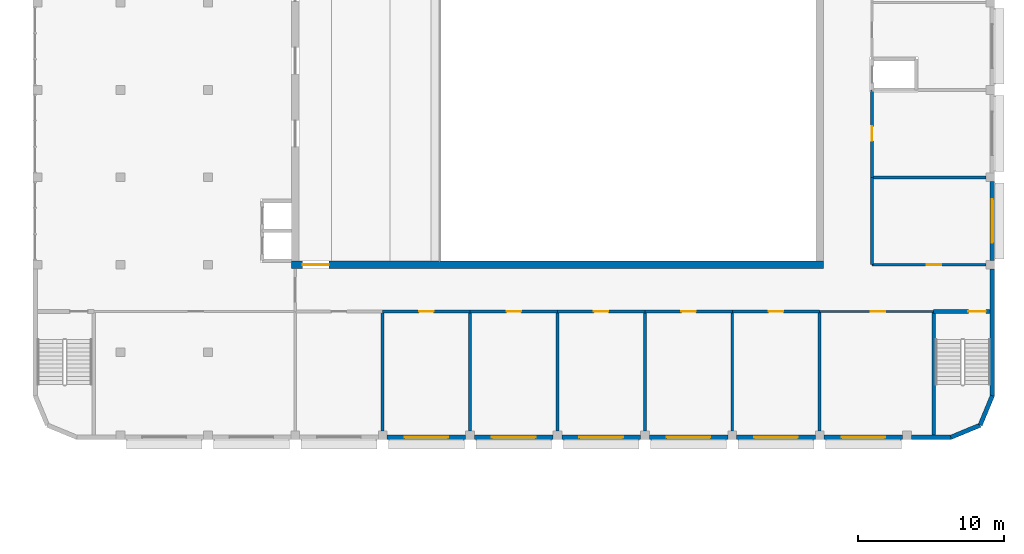
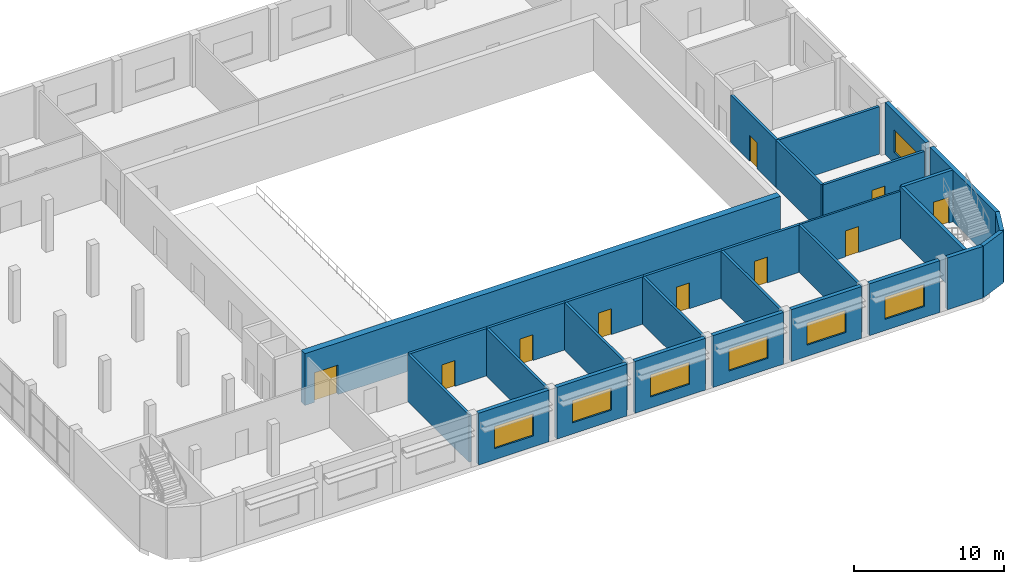
# One storey, part 23 of 45: 30 walls, 10 doors, 7 windows, 17 openings.
"""IFC4 building model written with IfcOpenShell, lengths in metres."""

from ifc_helpers import new_model, si_unit, direction, frame, frame_2d, origin, place, context, subcontext, project, spatial, rectangle, extrude, material, layer, layer_set, type_object, element, fill, save


model = new_model("IFC4")

# Units and contexts
model_context = context("Model", 3, precision=1e-05, world=origin(), true_north=direction((0.0, 1.0)))
body_context = subcontext(model_context, "Body", "Model", "MODEL_VIEW")
ifc_project = project(units=[si_unit("LENGTHUNIT", "METRE"), si_unit("AREAUNIT", "SQUARE_METRE"), si_unit("VOLUMEUNIT", "CUBIC_METRE"), si_unit("PLANEANGLEUNIT", "RADIAN"), si_unit("MASSUNIT", "GRAM", prefix="KILO")], contexts=[model_context])

# Site, building, storey
site_placement = place(None, origin())
site = spatial("IfcSite", under=ifc_project, at=site_placement, CompositionType="ELEMENT")
building_placement = place(site_placement, origin())
building = spatial("IfcBuilding", under=site, at=building_placement, Name="Nakaniwa Court", CompositionType="ELEMENT")
storey_placement = place(building_placement, frame((0.0, 0.0, 11.39990234375)))
storey = spatial("IfcBuildingStorey", under=building, at=storey_placement, Name="L02", CompositionType="ELEMENT", Elevation=11.39990234375)

# Wall
ifc_material_1 = material(Name="Double steel stud acoustic partition with mineral wool", Category="steel")
ifc_layer_1 = layer(ifc_material_1, 0.199951171875)
ifc_layer_set_1 = layer_set([ifc_layer_1], Name="Double steel stud acoustic partition with mineral wool")
wall_type_1 = type_object("IfcWallType", Name="Acoustic partition 200", PredefinedType="PARTITIONING", material=ifc_layer_set_1)
wall_1_placement = place(storey_placement, frame((176.0, 64.784912109375, 0.0), z_axis=(0.0, 0.0, 1.0), x_axis=(0.0, -1.0, 0.0)))
element("IfcWall", 1, at=wall_1_placement, inside=storey, type_object=wall_type_1, Name="L02 partition wall 26", PredefinedType="PARTITIONING", context=body_context, shape_type="SweptSolid", body=[
    extrude(rectangle(XDim=8.184814453125, YDim=0.199951171875, at=frame_2d((4.09228515625, 0.0))), origin(), (0.0, 0.0, 1.0), 3.85009765625),
])

# Wall, opening, door
wall_2_placement = place(storey_placement, frame((182.0, 64.784912109375, 0.0), z_axis=(0.0, 0.0, 1.0), x_axis=(-1.0, 0.0, 0.0)))
wall_2 = element("IfcWall", 2, at=wall_2_placement, inside=storey, type_object=wall_type_1, Name="L02 partition wall 27", PredefinedType="PARTITIONING", context=body_context, shape_type="SweptSolid", body=[
    extrude(rectangle(XDim=6.0, YDim=0.199951171875, at=frame_2d((3.0, 0.0))), origin(), (0.0, 0.0, 1.0), 3.85009765625),
])
opening_1_placement = place(wall_2_placement, frame((2.5, 0.0, 0.0)))
opening_1 = element("IfcOpeningElement", 3, at=opening_1_placement, cuts=wall_2, Name="Opening HD-90", PredefinedType="OPENING", context=body_context, shape_type="SweptSolid", body=[
    extrude(rectangle(XDim=1.0, YDim=2.10009765625, at=frame_2d((0.5, 1.050048828125))), frame((0.0, 0.10986328125, 0.0), z_axis=(0.0, -1.0, 0.0), x_axis=(1.0, 0.0, 0.0)), (0.0, 0.0, 1.0), 0.219970703125),
])
ifc_material_2 = material(Name="Solid-core timber door leaf in steel frame", Category="steel")
door_type_1 = type_object("IfcDoorType", Name="Hall door 1000x2100", OperationType="SINGLE_SWING_LEFT", PredefinedType="DOOR", material=ifc_material_2)
door_1_placement = place(opening_1_placement, origin())
door_1 = element("IfcDoor", 4, at=door_1_placement, inside=storey, type_object=door_type_1, Name="L02 door Practice-room-2", OperationType="SINGLE_SWING_RIGHT", OverallHeight=2.10009765625, OverallWidth=1.0, PredefinedType="DOOR", context=body_context, shape_type="SweptSolid", body=[
    extrude(rectangle(XDim=1.0, YDim=2.10009765625, at=frame_2d((0.5, 1.050048828125))), frame((0.0, 0.02490234375, 0.0), z_axis=(0.0, -1.0, 0.0), x_axis=(1.0, 0.0, 0.0)), (0.0, 0.0, 1.0), 0.050048828125),
])
fill(opening_1, door_1)

# Wall
wall_3_placement = place(storey_placement, frame((182.0, 64.784912109375, 0.0), z_axis=(0.0, 0.0, 1.0), x_axis=(0.0, -1.0, 0.0)))
element("IfcWall", 5, at=wall_3_placement, inside=storey, type_object=wall_type_1, Name="L02 partition wall 28", PredefinedType="PARTITIONING", context=body_context, shape_type="SweptSolid", body=[
    extrude(rectangle(XDim=8.184814453125, YDim=0.199951171875, at=frame_2d((4.09228515625, 0.0))), origin(), (0.0, 0.0, 1.0), 3.85009765625),
])

# Wall, opening, door
wall_4_placement = place(storey_placement, frame((188.0, 64.784912109375, 0.0), z_axis=(0.0, 0.0, 1.0), x_axis=(-1.0, 0.0, 0.0)))
wall_4 = element("IfcWall", 6, at=wall_4_placement, inside=storey, type_object=wall_type_1, Name="L02 partition wall 29", PredefinedType="PARTITIONING", context=body_context, shape_type="SweptSolid", body=[
    extrude(rectangle(XDim=6.0, YDim=0.199951171875, at=frame_2d((3.0, 0.0))), origin(), (0.0, 0.0, 1.0), 3.85009765625),
])
opening_2_placement = place(wall_4_placement, frame((2.5, 0.0, 0.0)))
opening_2 = element("IfcOpeningElement", 7, at=opening_2_placement, cuts=wall_4, Name="Opening HD-91", PredefinedType="OPENING", context=body_context, shape_type="SweptSolid", body=[
    extrude(rectangle(XDim=1.0, YDim=2.10009765625, at=frame_2d((0.5, 1.050048828125))), frame((0.0, 0.10986328125, 0.0), z_axis=(0.0, -1.0, 0.0), x_axis=(1.0, 0.0, 0.0)), (0.0, 0.0, 1.0), 0.219970703125),
])
door_2_placement = place(opening_2_placement, origin())
door_2 = element("IfcDoor", 8, at=door_2_placement, inside=storey, type_object=door_type_1, Name="L02 door Practice-room-3", OperationType="SINGLE_SWING_LEFT", OverallHeight=2.10009765625, OverallWidth=1.0, PredefinedType="DOOR", context=body_context, shape_type="SweptSolid", body=[
    extrude(rectangle(XDim=1.0, YDim=2.10009765625, at=frame_2d((0.5, 1.050048828125))), frame((0.0, 0.02490234375, 0.0), z_axis=(0.0, -1.0, 0.0), x_axis=(1.0, 0.0, 0.0)), (0.0, 0.0, 1.0), 0.050048828125),
])
fill(opening_2, door_2)

# Wall
wall_5_placement = place(storey_placement, frame((188.0, 64.784912109375, 0.0), z_axis=(0.0, 0.0, 1.0), x_axis=(0.0, -1.0, 0.0)))
element("IfcWall", 9, at=wall_5_placement, inside=storey, type_object=wall_type_1, Name="L02 partition wall 32", PredefinedType="PARTITIONING", context=body_context, shape_type="SweptSolid", body=[
    extrude(rectangle(XDim=8.184814453125, YDim=0.199951171875, at=frame_2d((4.09228515625, 0.0))), origin(), (0.0, 0.0, 1.0), 3.85009765625),
])

# Wall, opening, door
wall_6_placement = place(storey_placement, frame((194.0, 64.784912109375, 0.0), z_axis=(0.0, 0.0, 1.0), x_axis=(-1.0, 0.0, 0.0)))
wall_6 = element("IfcWall", 10, at=wall_6_placement, inside=storey, type_object=wall_type_1, Name="L02 partition wall 33", PredefinedType="PARTITIONING", context=body_context, shape_type="SweptSolid", body=[
    extrude(rectangle(XDim=6.0, YDim=0.199951171875, at=frame_2d((3.0, 0.0))), origin(), (0.0, 0.0, 1.0), 3.85009765625),
])
opening_3_placement = place(wall_6_placement, frame((2.5, 0.0, 0.0)))
opening_3 = element("IfcOpeningElement", 11, at=opening_3_placement, cuts=wall_6, Name="Opening HD-93", PredefinedType="OPENING", context=body_context, shape_type="SweptSolid", body=[
    extrude(rectangle(XDim=1.0, YDim=2.10009765625, at=frame_2d((0.5, 1.050048828125))), frame((0.0, 0.10986328125, 0.0), z_axis=(0.0, -1.0, 0.0), x_axis=(1.0, 0.0, 0.0)), (0.0, 0.0, 1.0), 0.219970703125),
])
door_3_placement = place(opening_3_placement, origin())
door_3 = element("IfcDoor", 12, at=door_3_placement, inside=storey, type_object=door_type_1, Name="L02 door Practice-room-4", OperationType="SINGLE_SWING_RIGHT", OverallHeight=2.10009765625, OverallWidth=1.0, PredefinedType="DOOR", context=body_context, shape_type="SweptSolid", body=[
    extrude(rectangle(XDim=1.0, YDim=2.10009765625, at=frame_2d((0.5, 1.050048828125))), frame((0.0, 0.02490234375, 0.0), z_axis=(0.0, -1.0, 0.0), x_axis=(1.0, 0.0, 0.0)), (0.0, 0.0, 1.0), 0.050048828125),
])
fill(opening_3, door_3)

# Wall
wall_7_placement = place(storey_placement, frame((194.0, 64.784912109375, 0.0), z_axis=(0.0, 0.0, 1.0), x_axis=(0.0, -1.0, 0.0)))
element("IfcWall", 13, at=wall_7_placement, inside=storey, type_object=wall_type_1, Name="L02 partition wall 34", PredefinedType="PARTITIONING", context=body_context, shape_type="SweptSolid", body=[
    extrude(rectangle(XDim=8.184814453125, YDim=0.199951171875, at=frame_2d((4.09228515625, 0.0))), origin(), (0.0, 0.0, 1.0), 3.85009765625),
])

# Wall, opening, door
wall_8_placement = place(storey_placement, frame((200.0, 64.784912109375, 0.0), z_axis=(0.0, 0.0, 1.0), x_axis=(-1.0, 0.0, 0.0)))
wall_8 = element("IfcWall", 14, at=wall_8_placement, inside=storey, type_object=wall_type_1, Name="L02 partition wall 35", PredefinedType="PARTITIONING", context=body_context, shape_type="SweptSolid", body=[
    extrude(rectangle(XDim=6.0, YDim=0.199951171875, at=frame_2d((3.0, 0.0))), origin(), (0.0, 0.0, 1.0), 3.85009765625),
])
opening_4_placement = place(wall_8_placement, frame((2.5, 0.0, 0.0)))
opening_4 = element("IfcOpeningElement", 15, at=opening_4_placement, cuts=wall_8, Name="Opening HD-94", PredefinedType="OPENING", context=body_context, shape_type="SweptSolid", body=[
    extrude(rectangle(XDim=1.0, YDim=2.10009765625, at=frame_2d((0.5, 1.050048828125))), frame((0.0, 0.10986328125, 0.0), z_axis=(0.0, -1.0, 0.0), x_axis=(1.0, 0.0, 0.0)), (0.0, 0.0, 1.0), 0.219970703125),
])
door_4_placement = place(opening_4_placement, origin())
door_4 = element("IfcDoor", 16, at=door_4_placement, inside=storey, type_object=door_type_1, Name="L02 door Practice-room-5", OperationType="SINGLE_SWING_LEFT", OverallHeight=2.10009765625, OverallWidth=1.0, PredefinedType="DOOR", context=body_context, shape_type="SweptSolid", body=[
    extrude(rectangle(XDim=1.0, YDim=2.10009765625, at=frame_2d((0.5, 1.050048828125))), frame((0.0, 0.02490234375, 0.0), z_axis=(0.0, -1.0, 0.0), x_axis=(1.0, 0.0, 0.0)), (0.0, 0.0, 1.0), 0.050048828125),
])
fill(opening_4, door_4)

# Wall
wall_9_placement = place(storey_placement, frame((200.0, 64.784912109375, 0.0), z_axis=(0.0, 0.0, 1.0), x_axis=(0.0, -1.0, 0.0)))
element("IfcWall", 17, at=wall_9_placement, inside=storey, type_object=wall_type_1, Name="L02 partition wall 38", PredefinedType="PARTITIONING", context=body_context, shape_type="SweptSolid", body=[
    extrude(rectangle(XDim=8.184814453125, YDim=0.199951171875, at=frame_2d((4.09228515625, 0.0))), origin(), (0.0, 0.0, 1.0), 3.85009765625),
])

# Wall, opening, door
wall_10_placement = place(storey_placement, frame((206.0, 64.784912109375, 0.0), z_axis=(0.0, 0.0, 1.0), x_axis=(-1.0, 0.0, 0.0)))
wall_10 = element("IfcWall", 18, at=wall_10_placement, inside=storey, type_object=wall_type_1, Name="L02 partition wall 39", PredefinedType="PARTITIONING", context=body_context, shape_type="SweptSolid", body=[
    extrude(rectangle(XDim=6.0, YDim=0.199951171875, at=frame_2d((3.0, 0.0))), origin(), (0.0, 0.0, 1.0), 3.85009765625),
])
opening_5_placement = place(wall_10_placement, frame((2.5, 0.0, 0.0)))
opening_5 = element("IfcOpeningElement", 19, at=opening_5_placement, cuts=wall_10, Name="Opening HD-96", PredefinedType="OPENING", context=body_context, shape_type="SweptSolid", body=[
    extrude(rectangle(XDim=1.0, YDim=2.10009765625, at=frame_2d((0.5, 1.050048828125))), frame((0.0, 0.10986328125, 0.0), z_axis=(0.0, -1.0, 0.0), x_axis=(1.0, 0.0, 0.0)), (0.0, 0.0, 1.0), 0.219970703125),
])
door_5_placement = place(opening_5_placement, origin())
door_5 = element("IfcDoor", 20, at=door_5_placement, inside=storey, type_object=door_type_1, Name="L02 door Practice-room-6", OperationType="SINGLE_SWING_RIGHT", OverallHeight=2.10009765625, OverallWidth=1.0, PredefinedType="DOOR", context=body_context, shape_type="SweptSolid", body=[
    extrude(rectangle(XDim=1.0, YDim=2.10009765625, at=frame_2d((0.5, 1.050048828125))), frame((0.0, 0.02490234375, 0.0), z_axis=(0.0, -1.0, 0.0), x_axis=(1.0, 0.0, 0.0)), (0.0, 0.0, 1.0), 0.050048828125),
])
fill(opening_5, door_5)

# Walls
wall_11_placement = place(storey_placement, frame((206.0, 64.784912109375, 0.0), z_axis=(0.0, 0.0, 1.0), x_axis=(0.0, -1.0, 0.0)))
element("IfcWall", 21, at=wall_11_placement, inside=storey, type_object=wall_type_1, Name="L02 partition wall 40", PredefinedType="PARTITIONING", context=body_context, shape_type="SweptSolid", body=[
    extrude(rectangle(XDim=8.184814453125, YDim=0.199951171875, at=frame_2d((4.09228515625, 0.0))), origin(), (0.0, 0.0, 1.0), 3.85009765625),
])
wall_12_placement = place(storey_placement, frame((209.60009765625, 74.0, 0.0), z_axis=(0.0, 0.0, 1.0), x_axis=(1.0, 0.0, 0.0)))
element("IfcWall", 22, at=wall_12_placement, inside=storey, type_object=wall_type_1, Name="L02 partition wall 44", PredefinedType="PARTITIONING", context=body_context, shape_type="SweptSolid", body=[
    extrude(rectangle(XDim=7.7998046875, YDim=0.199951171875, at=frame_2d((3.89990234375, 0.0))), origin(), (0.0, 0.0, 1.0), 3.85009765625),
])

# Wall, opening, door
wall_13_placement = place(storey_placement, frame((209.60009765625, 80.0, 0.0), z_axis=(0.0, 0.0, 1.0), x_axis=(0.0, -1.0, 0.0)))
wall_13 = element("IfcWall", 23, at=wall_13_placement, inside=storey, type_object=wall_type_1, Name="L02 partition wall 45", PredefinedType="PARTITIONING", context=body_context, shape_type="SweptSolid", body=[
    extrude(rectangle(XDim=6.0, YDim=0.199951171875, at=frame_2d((3.0, 0.0))), origin(), (0.0, 0.0, 1.0), 3.85009765625),
])
opening_6_placement = place(wall_13_placement, frame((2.5, 0.0, 0.0)))
opening_6 = element("IfcOpeningElement", 24, at=opening_6_placement, cuts=wall_13, Name="Opening HD-99", PredefinedType="OPENING", context=body_context, shape_type="SweptSolid", body=[
    extrude(rectangle(XDim=1.0, YDim=2.10009765625, at=frame_2d((0.5, 1.050048828125))), frame((0.0, 0.10986328125, 0.0), z_axis=(0.0, -1.0, 0.0), x_axis=(1.0, 0.0, 0.0)), (0.0, 0.0, 1.0), 0.219970703125),
])
door_6_placement = place(opening_6_placement, origin())
door_6 = element("IfcDoor", 25, at=door_6_placement, inside=storey, type_object=door_type_1, Name="L02 door Practice-room-8", OperationType="SINGLE_SWING_LEFT", OverallHeight=2.10009765625, OverallWidth=1.0, PredefinedType="DOOR", context=body_context, shape_type="SweptSolid", body=[
    extrude(rectangle(XDim=1.0, YDim=2.10009765625, at=frame_2d((0.5, 1.050048828125))), frame((0.0, 0.02490234375, 0.0), z_axis=(0.0, -1.0, 0.0), x_axis=(1.0, 0.0, 0.0)), (0.0, 0.0, 1.0), 0.050048828125),
])
fill(opening_6, door_6)

# Wall
wall_14_placement = place(storey_placement, frame((209.60009765625, 74.0, 0.0), z_axis=(0.0, 0.0, 1.0), x_axis=(0.0, -1.0, 0.0)))
element("IfcWall", 26, at=wall_14_placement, inside=storey, type_object=wall_type_1, Name="L02 partition wall 46", PredefinedType="PARTITIONING", context=body_context, shape_type="SweptSolid", body=[
    extrude(rectangle(XDim=6.0, YDim=0.199951171875, at=frame_2d((3.0, 0.0))), origin(), (0.0, 0.0, 1.0), 3.85009765625),
])

# Wall, opening, door
wall_15_placement = place(storey_placement, frame((209.60009765625, 68.0, 0.0), z_axis=(0.0, 0.0, 1.0), x_axis=(1.0, 0.0, 0.0)))
wall_15 = element("IfcWall", 27, at=wall_15_placement, inside=storey, type_object=wall_type_1, Name="L02 partition wall 47", PredefinedType="PARTITIONING", context=body_context, shape_type="SweptSolid", body=[
    extrude(rectangle(XDim=7.7998046875, YDim=0.199951171875, at=frame_2d((3.89990234375, 0.0))), origin(), (0.0, 0.0, 1.0), 3.85009765625),
])
opening_7_placement = place(wall_15_placement, frame((3.75, 0.0, 0.0)))
opening_7 = element("IfcOpeningElement", 28, at=opening_7_placement, cuts=wall_15, Name="Opening HD-100", PredefinedType="OPENING", context=body_context, shape_type="SweptSolid", body=[
    extrude(rectangle(XDim=1.0, YDim=2.10009765625, at=frame_2d((0.5, 1.050048828125))), frame((0.0, 0.10986328125, 0.0), z_axis=(0.0, -1.0, 0.0), x_axis=(1.0, 0.0, 0.0)), (0.0, 0.0, 1.0), 0.219970703125),
])
door_7_placement = place(opening_7_placement, origin())
door_7 = element("IfcDoor", 29, at=door_7_placement, inside=storey, type_object=door_type_1, Name="L02 door Practice-room-7", OperationType="SINGLE_SWING_RIGHT", OverallHeight=2.10009765625, OverallWidth=1.0, PredefinedType="DOOR", context=body_context, shape_type="SweptSolid", body=[
    extrude(rectangle(XDim=1.0, YDim=2.10009765625, at=frame_2d((0.5, 1.050048828125))), frame((0.0, 0.02490234375, 0.0), z_axis=(0.0, -1.0, 0.0), x_axis=(1.0, 0.0, 0.0)), (0.0, 0.0, 1.0), 0.050048828125),
])
fill(opening_7, door_7)

ifc_material_3 = material(Name="Concrete C50/60", Category="concrete")
ifc_layer_2 = layer(ifc_material_3, 0.5)
ifc_layer_set_2 = layer_set([ifc_layer_2], Name="Concrete C50/60")
wall_type_2 = type_object("IfcWallType", Name="Auditorium acoustic mass wall RC 500", PredefinedType="SHEAR", material=ifc_layer_set_2)
wall_16_placement = place(storey_placement, frame((206.25, 68.0, 0.0), z_axis=(0.0, 0.0, 1.0), x_axis=(-1.0, 0.0, 0.0)))
wall_16 = element("IfcWall", 30, at=wall_16_placement, inside=storey, type_object=wall_type_2, Name="Auditorium south wall L02", PredefinedType="SHEAR", context=body_context, shape_type="SweptSolid", body=[
    extrude(rectangle(XDim=36.5, YDim=0.5, at=frame_2d((18.25, 0.0))), origin(), (0.0, 0.0, 1.0), 4.2001953125),
])
opening_8_placement = place(wall_16_placement, frame((33.949951171875, 0.0, 0.0)))
opening_8 = element("IfcOpeningElement", 31, at=opening_8_placement, cuts=wall_16, Name="Opening HD-108", PredefinedType="OPENING", context=body_context, shape_type="SweptSolid", body=[
    extrude(rectangle(XDim=1.800048828125, YDim=2.39990234375, at=frame_2d((0.89990234375, 1.199951171875))), frame((0.0, 0.260009765625, 0.0), z_axis=(0.0, -1.0, 0.0), x_axis=(1.0, 0.0, 0.0)), (0.0, 0.0, 1.0), 0.52001953125),
])
ifc_material_4 = material(Name="Acoustic solid-core timber double leaf in steel frame", Category="steel")
door_type_2 = type_object("IfcDoorType", Name="Hall acoustic double door 1800x2400", OperationType="DOUBLE_DOOR_SINGLE_SWING", PredefinedType="DOOR", material=ifc_material_4)
door_8_placement = place(opening_8_placement, origin())
door_8 = element("IfcDoor", 32, at=door_8_placement, inside=storey, type_object=door_type_2, Name="L02 door side-S1", OperationType="DOUBLE_DOOR_SINGLE_SWING", OverallHeight=2.39990234375, OverallWidth=1.800048828125, PredefinedType="DOOR", context=body_context, shape_type="SweptSolid", body=[
    extrude(rectangle(XDim=1.800048828125, YDim=2.39990234375, at=frame_2d((0.89990234375, 1.199951171875))), frame((0.0, 0.02490234375, 0.0), z_axis=(0.0, -1.0, 0.0), x_axis=(1.0, 0.0, 0.0)), (0.0, 0.0, 1.0), 0.050048828125),
])
fill(opening_8, door_8)

# Wall, opening, window
ifc_layer_3 = layer(ifc_material_3, 0.300048828125)
ifc_layer_set_3 = layer_set([ifc_layer_3], Name="Concrete C50/60")
wall_type_3 = type_object("IfcWallType", Name="Fair faced concrete wall 300", PredefinedType="SOLIDWALL", material=ifc_layer_set_3)
wall_17_placement = place(storey_placement, frame((217.85009765625, 73.699951171875, 0.0), z_axis=(0.0, 0.0, 1.0), x_axis=(0.0, -1.0, 0.0)))
wall_17 = element("IfcWall", 33, at=wall_17_placement, inside=storey, type_object=wall_type_3, Name="Facade wall L02 28", PredefinedType="SOLIDWALL", context=body_context, shape_type="SweptSolid", body=[
    extrude(rectangle(XDim=5.39990234375, YDim=0.300048828125, at=frame_2d((2.699951171875, 0.0))), origin(), (0.0, 0.0, 1.0), 4.2001953125),
])
opening_9_placement = place(wall_17_placement, frame((1.199951171875, 0.0, 0.89990234375)))
opening_9 = element("IfcOpeningElement", 34, at=opening_9_placement, cuts=wall_17, Name="Opening HWN-42", PredefinedType="OPENING", context=body_context, shape_type="SweptSolid", body=[
    extrude(rectangle(XDim=3.0, YDim=1.800048828125, at=frame_2d((1.5, 0.89990234375))), frame((0.0, 0.159912109375, 0.0), z_axis=(0.0, -1.0, 0.0), x_axis=(1.0, 0.0, 0.0)), (0.0, 0.0, 1.0), 0.320068359375),
])
ifc_material_5 = material(Name="Black powder-coated aluminium frame with dark glass", Category="aluminium")
window_type = type_object("IfcWindowType", Name="Hall window 3000x1800", PartitioningType="SINGLE_PANEL", PredefinedType="WINDOW", material=ifc_material_5)
window_1_placement = place(opening_9_placement, origin())
window_1 = element("IfcWindow", 35, at=window_1_placement, inside=storey, type_object=window_type, Name="Window L02:027", OverallHeight=1.800048828125, OverallWidth=3.0, PartitioningType="SINGLE_PANEL", PredefinedType="WINDOW", context=body_context, shape_type="SweptSolid", body=[
    extrude(rectangle(XDim=3.0, YDim=1.800048828125, at=frame_2d((1.5, 0.89990234375))), frame((0.0, 0.030029296875, 0.0), z_axis=(0.0, -1.0, 0.0), x_axis=(1.0, 0.0, 0.0)), (0.0, 0.0, 1.0), 0.06005859375),
])
fill(opening_9, window_1)

# Walls
wall_18_placement = place(storey_placement, frame((217.85009765625, 67.699951171875, 0.0), z_axis=(0.0, 0.0, 1.0), x_axis=(0.0, -1.0, 0.0)))
element("IfcWall", 36, at=wall_18_placement, inside=storey, type_object=wall_type_3, Name="Facade wall L02 29", PredefinedType="SOLIDWALL", context=body_context, shape_type="SweptSolid", body=[
    extrude(rectangle(XDim=8.699951171875, YDim=0.300048828125, at=frame_2d((4.35009765625, 0.0))), origin(), (0.0, 0.0, 1.0), 4.2001953125),
])
for number, where, z_axis, x_axis, name in (
    (37, (217.85009765625, 59.0, 0.0), (0.0, 0.0, 1.0), (-0.382651625058, -0.923892706888, 0.0), "Facade wall L02 30"),
    (38, (217.015380859375, 56.984619140625, 0.0), (0.0, 0.0, 1.0), (-0.923892706888, -0.382651625058, 0.0), "Facade wall L02 31"),
):
    element("IfcWall", number, at=place(storey_placement, frame(where, z_axis=z_axis, x_axis=x_axis)), inside=storey, type_object=wall_type_3, Name=name, PredefinedType="SOLIDWALL", context=body_context, shape_type="SweptSolid", body=[
        extrude(rectangle(XDim=2.181396484375, YDim=0.300048828125, at=frame_2d((1.0908203125, 0.0))), origin(), (0.0, 0.0, 1.0), 4.2001953125),
    ])
wall_19_placement = place(storey_placement, frame((215.0, 56.14990234375, 0.0), z_axis=(0.0, 0.0, 1.0), x_axis=(-1.0, 0.0, 0.0)))
element("IfcWall", 39, at=wall_19_placement, inside=storey, type_object=wall_type_3, Name="Facade wall L02 32", PredefinedType="SOLIDWALL", context=body_context, shape_type="SweptSolid", body=[
    extrude(rectangle(XDim=2.699951171875, YDim=0.300048828125, at=frame_2d((1.35009765625, 0.0))), origin(), (0.0, 0.0, 1.0), 4.2001953125),
])

# Wall, opening, window
wall_20_placement = place(storey_placement, frame((211.699951171875, 56.14990234375, 0.0), z_axis=(0.0, 0.0, 1.0), x_axis=(-1.0, 0.0, 0.0)))
wall_20 = element("IfcWall", 40, at=wall_20_placement, inside=storey, type_object=wall_type_3, Name="Facade wall L02 33", PredefinedType="SOLIDWALL", context=body_context, shape_type="SweptSolid", body=[
    extrude(rectangle(XDim=5.39990234375, YDim=0.300048828125, at=frame_2d((2.699951171875, 0.0))), origin(), (0.0, 0.0, 1.0), 4.2001953125),
])
opening_10_placement = place(wall_20_placement, frame((1.199951171875, 0.0, 0.89990234375)))
opening_10 = element("IfcOpeningElement", 41, at=opening_10_placement, cuts=wall_20, Name="Opening HWN-43", PredefinedType="OPENING", context=body_context, shape_type="SweptSolid", body=[
    extrude(rectangle(XDim=3.0, YDim=1.800048828125, at=frame_2d((1.5, 0.89990234375))), frame((0.0, 0.159912109375, 0.0), z_axis=(0.0, -1.0, 0.0), x_axis=(1.0, 0.0, 0.0)), (0.0, 0.0, 1.0), 0.320068359375),
])
window_2_placement = place(opening_10_placement, origin())
window_2 = element("IfcWindow", 42, at=window_2_placement, inside=storey, type_object=window_type, Name="Window L02:032", OverallHeight=1.800048828125, OverallWidth=3.0, PartitioningType="SINGLE_PANEL", PredefinedType="WINDOW", context=body_context, shape_type="SweptSolid", body=[
    extrude(rectangle(XDim=3.0, YDim=1.800048828125, at=frame_2d((1.5, 0.89990234375))), frame((0.0, 0.030029296875, 0.0), z_axis=(0.0, -1.0, 0.0), x_axis=(1.0, 0.0, 0.0)), (0.0, 0.0, 1.0), 0.06005859375),
])
fill(opening_10, window_2)

wall_21_placement = place(storey_placement, frame((205.699951171875, 56.14990234375, 0.0), z_axis=(0.0, 0.0, 1.0), x_axis=(-1.0, 0.0, 0.0)))
wall_21 = element("IfcWall", 43, at=wall_21_placement, inside=storey, type_object=wall_type_3, Name="Facade wall L02 34", PredefinedType="SOLIDWALL", context=body_context, shape_type="SweptSolid", body=[
    extrude(rectangle(XDim=5.39990234375, YDim=0.300048828125, at=frame_2d((2.699951171875, 0.0))), origin(), (0.0, 0.0, 1.0), 4.2001953125),
])
opening_11_placement = place(wall_21_placement, frame((1.199951171875, 0.0, 0.89990234375)))
opening_11 = element("IfcOpeningElement", 44, at=opening_11_placement, cuts=wall_21, Name="Opening HWN-44", PredefinedType="OPENING", context=body_context, shape_type="SweptSolid", body=[
    extrude(rectangle(XDim=3.0, YDim=1.800048828125, at=frame_2d((1.5, 0.89990234375))), frame((0.0, 0.159912109375, 0.0), z_axis=(0.0, -1.0, 0.0), x_axis=(1.0, 0.0, 0.0)), (0.0, 0.0, 1.0), 0.320068359375),
])
window_3_placement = place(opening_11_placement, origin())
window_3 = element("IfcWindow", 45, at=window_3_placement, inside=storey, type_object=window_type, Name="Window L02:033", OverallHeight=1.800048828125, OverallWidth=3.0, PartitioningType="SINGLE_PANEL", PredefinedType="WINDOW", context=body_context, shape_type="SweptSolid", body=[
    extrude(rectangle(XDim=3.0, YDim=1.800048828125, at=frame_2d((1.5, 0.89990234375))), frame((0.0, 0.030029296875, 0.0), z_axis=(0.0, -1.0, 0.0), x_axis=(1.0, 0.0, 0.0)), (0.0, 0.0, 1.0), 0.06005859375),
])
fill(opening_11, window_3)

wall_22_placement = place(storey_placement, frame((199.699951171875, 56.14990234375, 0.0), z_axis=(0.0, 0.0, 1.0), x_axis=(-1.0, 0.0, 0.0)))
wall_22 = element("IfcWall", 46, at=wall_22_placement, inside=storey, type_object=wall_type_3, Name="Facade wall L02 35", PredefinedType="SOLIDWALL", context=body_context, shape_type="SweptSolid", body=[
    extrude(rectangle(XDim=5.39990234375, YDim=0.300048828125, at=frame_2d((2.699951171875, 0.0))), origin(), (0.0, 0.0, 1.0), 4.2001953125),
])
opening_12_placement = place(wall_22_placement, frame((1.199951171875, 0.0, 0.89990234375)))
opening_12 = element("IfcOpeningElement", 47, at=opening_12_placement, cuts=wall_22, Name="Opening HWN-45", PredefinedType="OPENING", context=body_context, shape_type="SweptSolid", body=[
    extrude(rectangle(XDim=3.0, YDim=1.800048828125, at=frame_2d((1.5, 0.89990234375))), frame((0.0, 0.159912109375, 0.0), z_axis=(0.0, -1.0, 0.0), x_axis=(1.0, 0.0, 0.0)), (0.0, 0.0, 1.0), 0.320068359375),
])
window_4_placement = place(opening_12_placement, origin())
window_4 = element("IfcWindow", 48, at=window_4_placement, inside=storey, type_object=window_type, Name="Window L02:034", OverallHeight=1.800048828125, OverallWidth=3.0, PartitioningType="SINGLE_PANEL", PredefinedType="WINDOW", context=body_context, shape_type="SweptSolid", body=[
    extrude(rectangle(XDim=3.0, YDim=1.800048828125, at=frame_2d((1.5, 0.89990234375))), frame((0.0, 0.030029296875, 0.0), z_axis=(0.0, -1.0, 0.0), x_axis=(1.0, 0.0, 0.0)), (0.0, 0.0, 1.0), 0.06005859375),
])
fill(opening_12, window_4)

wall_23_placement = place(storey_placement, frame((193.699951171875, 56.14990234375, 0.0), z_axis=(0.0, 0.0, 1.0), x_axis=(-1.0, 0.0, 0.0)))
wall_23 = element("IfcWall", 49, at=wall_23_placement, inside=storey, type_object=wall_type_3, Name="Facade wall L02 36", PredefinedType="SOLIDWALL", context=body_context, shape_type="SweptSolid", body=[
    extrude(rectangle(XDim=5.39990234375, YDim=0.300048828125, at=frame_2d((2.699951171875, 0.0))), origin(), (0.0, 0.0, 1.0), 4.2001953125),
])
opening_13_placement = place(wall_23_placement, frame((1.199951171875, 0.0, 0.89990234375)))
opening_13 = element("IfcOpeningElement", 50, at=opening_13_placement, cuts=wall_23, Name="Opening HWN-46", PredefinedType="OPENING", context=body_context, shape_type="SweptSolid", body=[
    extrude(rectangle(XDim=3.0, YDim=1.800048828125, at=frame_2d((1.5, 0.89990234375))), frame((0.0, 0.159912109375, 0.0), z_axis=(0.0, -1.0, 0.0), x_axis=(1.0, 0.0, 0.0)), (0.0, 0.0, 1.0), 0.320068359375),
])
window_5_placement = place(opening_13_placement, origin())
window_5 = element("IfcWindow", 51, at=window_5_placement, inside=storey, type_object=window_type, Name="Window L02:035", OverallHeight=1.800048828125, OverallWidth=3.0, PartitioningType="SINGLE_PANEL", PredefinedType="WINDOW", context=body_context, shape_type="SweptSolid", body=[
    extrude(rectangle(XDim=3.0, YDim=1.800048828125, at=frame_2d((1.5, 0.89990234375))), frame((0.0, 0.030029296875, 0.0), z_axis=(0.0, -1.0, 0.0), x_axis=(1.0, 0.0, 0.0)), (0.0, 0.0, 1.0), 0.06005859375),
])
fill(opening_13, window_5)

wall_24_placement = place(storey_placement, frame((187.699951171875, 56.14990234375, 0.0), z_axis=(0.0, 0.0, 1.0), x_axis=(-1.0, 0.0, 0.0)))
wall_24 = element("IfcWall", 52, at=wall_24_placement, inside=storey, type_object=wall_type_3, Name="Facade wall L02 37", PredefinedType="SOLIDWALL", context=body_context, shape_type="SweptSolid", body=[
    extrude(rectangle(XDim=5.39990234375, YDim=0.300048828125, at=frame_2d((2.699951171875, 0.0))), origin(), (0.0, 0.0, 1.0), 4.2001953125),
])
opening_14_placement = place(wall_24_placement, frame((1.199951171875, 0.0, 0.89990234375)))
opening_14 = element("IfcOpeningElement", 53, at=opening_14_placement, cuts=wall_24, Name="Opening HWN-47", PredefinedType="OPENING", context=body_context, shape_type="SweptSolid", body=[
    extrude(rectangle(XDim=3.0, YDim=1.800048828125, at=frame_2d((1.5, 0.89990234375))), frame((0.0, 0.159912109375, 0.0), z_axis=(0.0, -1.0, 0.0), x_axis=(1.0, 0.0, 0.0)), (0.0, 0.0, 1.0), 0.320068359375),
])
window_6_placement = place(opening_14_placement, origin())
window_6 = element("IfcWindow", 54, at=window_6_placement, inside=storey, type_object=window_type, Name="Window L02:036", OverallHeight=1.800048828125, OverallWidth=3.0, PartitioningType="SINGLE_PANEL", PredefinedType="WINDOW", context=body_context, shape_type="SweptSolid", body=[
    extrude(rectangle(XDim=3.0, YDim=1.800048828125, at=frame_2d((1.5, 0.89990234375))), frame((0.0, 0.030029296875, 0.0), z_axis=(0.0, -1.0, 0.0), x_axis=(1.0, 0.0, 0.0)), (0.0, 0.0, 1.0), 0.06005859375),
])
fill(opening_14, window_6)

wall_25_placement = place(storey_placement, frame((181.699951171875, 56.14990234375, 0.0), z_axis=(0.0, 0.0, 1.0), x_axis=(-1.0, 0.0, 0.0)))
wall_25 = element("IfcWall", 55, at=wall_25_placement, inside=storey, type_object=wall_type_3, Name="Facade wall L02 38", PredefinedType="SOLIDWALL", context=body_context, shape_type="SweptSolid", body=[
    extrude(rectangle(XDim=5.39990234375, YDim=0.300048828125, at=frame_2d((2.699951171875, 0.0))), origin(), (0.0, 0.0, 1.0), 4.2001953125),
])
opening_15_placement = place(wall_25_placement, frame((1.199951171875, 0.0, 0.89990234375)))
opening_15 = element("IfcOpeningElement", 56, at=opening_15_placement, cuts=wall_25, Name="Opening HWN-48", PredefinedType="OPENING", context=body_context, shape_type="SweptSolid", body=[
    extrude(rectangle(XDim=3.0, YDim=1.800048828125, at=frame_2d((1.5, 0.89990234375))), frame((0.0, 0.159912109375, 0.0), z_axis=(0.0, -1.0, 0.0), x_axis=(1.0, 0.0, 0.0)), (0.0, 0.0, 1.0), 0.320068359375),
])
window_7_placement = place(opening_15_placement, origin())
window_7 = element("IfcWindow", 57, at=window_7_placement, inside=storey, type_object=window_type, Name="Window L02:037", OverallHeight=1.800048828125, OverallWidth=3.0, PartitioningType="SINGLE_PANEL", PredefinedType="WINDOW", context=body_context, shape_type="SweptSolid", body=[
    extrude(rectangle(XDim=3.0, YDim=1.800048828125, at=frame_2d((1.5, 0.89990234375))), frame((0.0, 0.030029296875, 0.0), z_axis=(0.0, -1.0, 0.0), x_axis=(1.0, 0.0, 0.0)), (0.0, 0.0, 1.0), 0.06005859375),
])
fill(opening_15, window_7)

# Wall
ifc_material_6 = material(Name="Concrete C40/50", Category="concrete")
ifc_layer_4 = layer(ifc_material_6, 0.25)
ifc_layer_set_4 = layer_set([ifc_layer_4], Name="Concrete C40/50")
wall_type_4 = type_object("IfcWallType", Name="Fire isolated shaft wall RC 250", PredefinedType="SOLIDWALL", material=ifc_layer_set_4)
wall_26_placement = place(storey_placement, frame((213.824951171875, 56.300048828125, 0.0), z_axis=(0.0, 0.0, 1.0), x_axis=(0.0, 1.0, 0.0)))
element("IfcWall", 58, at=wall_26_placement, inside=storey, type_object=wall_type_4, Name="L02 shaft wall 57", PredefinedType="SOLIDWALL", context=body_context, shape_type="SweptSolid", body=[
    extrude(rectangle(XDim=8.48486328125, YDim=0.25, at=frame_2d((4.242431640625, 0.0))), origin(), (0.0, 0.0, 1.0), 4.2001953125),
])

# Wall, opening, door
wall_27_placement = place(storey_placement, frame((217.699951171875, 64.784912109375, 0.0), z_axis=(0.0, 0.0, 1.0), x_axis=(-1.0, 0.0, 0.0)))
wall_27 = element("IfcWall", 59, at=wall_27_placement, inside=storey, type_object=wall_type_4, Name="L02 shaft wall 58", PredefinedType="SOLIDWALL", context=body_context, shape_type="SweptSolid", body=[
    extrude(rectangle(XDim=3.875, YDim=0.25, at=frame_2d((1.9375, 0.0))), origin(), (0.0, 0.0, 1.0), 4.2001953125),
])
opening_16_placement = place(wall_27_placement, frame((0.300048828125, 0.0, 0.0)))
opening_16 = element("IfcOpeningElement", 60, at=opening_16_placement, cuts=wall_27, Name="Opening HD-103", PredefinedType="OPENING", context=body_context, shape_type="SweptSolid", body=[
    extrude(rectangle(XDim=1.199951171875, YDim=2.10009765625, at=frame_2d((0.60009765625, 1.050048828125))), frame((0.0, 0.135009765625, 0.0), z_axis=(0.0, -1.0, 0.0), x_axis=(1.0, 0.0, 0.0)), (0.0, 0.0, 1.0), 0.27001953125),
])
ifc_material_7 = material(Name="Insulated steel door leaf in steel frame", Category="steel")
door_type_3 = type_object("IfcDoorType", Name="Hall stair door 1200x2100", OperationType="SINGLE_SWING_LEFT", PredefinedType="DOOR", material=ifc_material_7)
door_9_placement = place(opening_16_placement, origin())
door_9 = element("IfcDoor", 61, at=door_9_placement, inside=storey, type_object=door_type_3, Name="L02 door Exit-stair-H3", OperationType="SINGLE_SWING_LEFT", OverallHeight=2.10009765625, OverallWidth=1.199951171875, PredefinedType="DOOR", context=body_context, shape_type="SweptSolid", body=[
    extrude(rectangle(XDim=1.199951171875, YDim=2.10009765625, at=frame_2d((0.60009765625, 1.050048828125))), frame((0.0, 0.02490234375, 0.0), z_axis=(0.0, -1.0, 0.0), x_axis=(1.0, 0.0, 0.0)), (0.0, 0.0, 1.0), 0.050048828125),
])
fill(opening_16, door_9)

ifc_material_8 = material(Name="Steel stud plasterboard partition", Category="steel")
ifc_layer_5 = layer(ifc_material_8, 0.14990234375)
ifc_layer_set_5 = layer_set([ifc_layer_5], Name="Steel stud plasterboard partition")
wall_type_5 = type_object("IfcWallType", Name="Partition 150", PredefinedType="PARTITIONING", material=ifc_layer_set_5)
wall_28_placement = place(storey_placement, frame((213.824951171875, 64.784912109375, 0.0), z_axis=(0.0, 0.0, 1.0), x_axis=(-1.0, 0.0, 0.0)))
wall_28 = element("IfcWall", 62, at=wall_28_placement, inside=storey, type_object=wall_type_5, Name="L02 partition wall 41", PredefinedType="PARTITIONING", context=body_context, shape_type="SweptSolid", body=[
    extrude(rectangle(XDim=7.824951171875, YDim=0.14990234375, at=frame_2d((3.91259765625, 0.0))), origin(), (0.0, 0.0, 1.0), 3.85009765625),
])
opening_17_placement = place(wall_28_placement, frame((3.324951171875, 0.0, 0.0)))
opening_17 = element("IfcOpeningElement", 63, at=opening_17_placement, cuts=wall_28, Name="Opening HD-97", PredefinedType="OPENING", context=body_context, shape_type="SweptSolid", body=[
    extrude(rectangle(XDim=1.0, YDim=2.10009765625, at=frame_2d((0.5, 1.050048828125))), frame((0.0, 0.0849609375, 0.0), z_axis=(0.0, -1.0, 0.0), x_axis=(1.0, 0.0, 0.0)), (0.0, 0.0, 1.0), 0.169921875),
])
door_10_placement = place(opening_17_placement, origin())
door_10 = element("IfcDoor", 64, at=door_10_placement, inside=storey, type_object=door_type_1, Name="L02 door Instrument-workshop", OperationType="SINGLE_SWING_LEFT", OverallHeight=2.10009765625, OverallWidth=1.0, PredefinedType="DOOR", context=body_context, shape_type="SweptSolid", body=[
    extrude(rectangle(XDim=1.0, YDim=2.10009765625, at=frame_2d((0.5, 1.050048828125))), frame((0.0, 0.02490234375, 0.0), z_axis=(0.0, -1.0, 0.0), x_axis=(1.0, 0.0, 0.0)), (0.0, 0.0, 1.0), 0.050048828125),
])
fill(opening_17, door_10)

save(model, "model.ifc")
